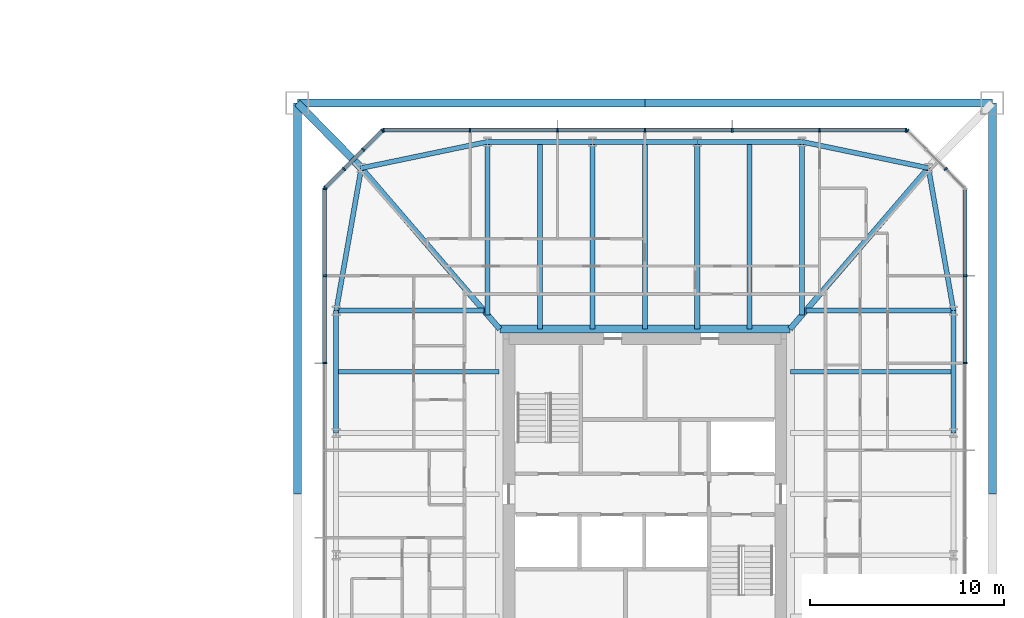
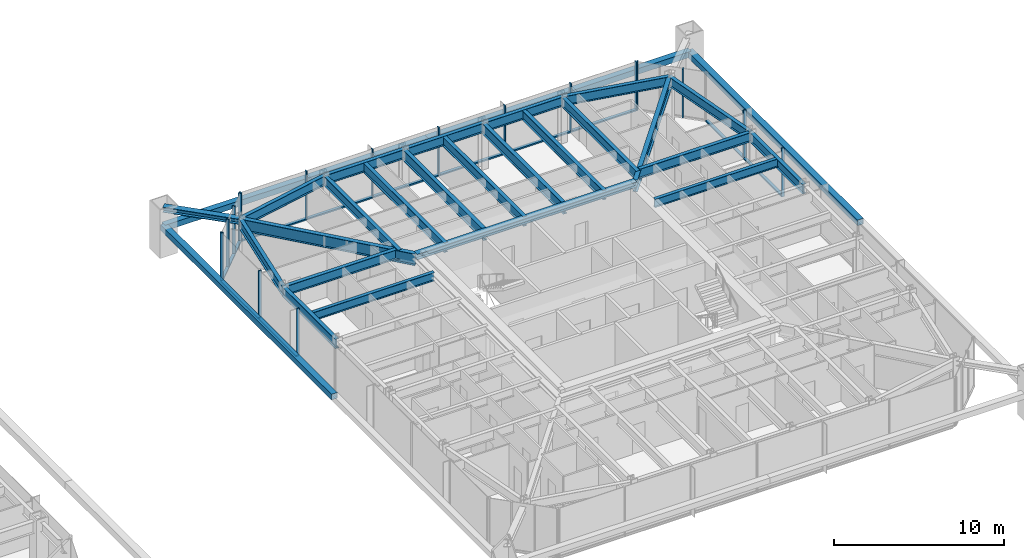
# One storey, part 11 of 27: 36 members, 23 beams, 5 elements without a shape of their own.
"""IFC4 building model written with IfcOpenShell, lengths in metres."""

from ifc_helpers import new_model, si_unit, direction, frame, origin, origin_2d, place, context, subcontext, project, spatial, rectangle, hollow_rectangle, i_section, extrude, material, material_profile, profile_set, type_object, element, aggregate, save


model = new_model("IFC4")

# Units and contexts
model_context = context("Model", 3, precision=1e-05, world=origin(), true_north=direction((0.0, 1.0)))
body_context = subcontext(model_context, "Body", "Model", "MODEL_VIEW")
ifc_project = project(units=[si_unit("LENGTHUNIT", "METRE"), si_unit("AREAUNIT", "SQUARE_METRE"), si_unit("VOLUMEUNIT", "CUBIC_METRE"), si_unit("PLANEANGLEUNIT", "RADIAN"), si_unit("MASSUNIT", "GRAM", prefix="KILO")], contexts=[model_context])

# Site, building, storey
site_placement = place(None, origin())
site = spatial("IfcSite", under=ifc_project, at=site_placement, CompositionType="ELEMENT")
building_placement = place(site_placement, origin())
building = spatial("IfcBuilding", under=site, at=building_placement, Name="Iwan Alto Co-Living Towers", CompositionType="ELEMENT")
storey_placement = place(building_placement, frame((0.0, 0.0, 53.5)))
storey = spatial("IfcBuildingStorey", under=building, at=storey_placement, Name="L14", CompositionType="ELEMENT", Elevation=53.5)

# Curtain wall, members
ifc_material_1 = material(Name="Bronze aluminium unitised frame", Category="aluminium")
curtain_wall_type_1 = type_object("IfcCurtainWallType", Name="CURTAIN WALL CW-C", PredefinedType="NOTDEFINED", material=ifc_material_1)
curtain_wall_1_placement = place(storey_placement, origin())
curtain_wall_1 = element("IfcCurtainWall", 1, at=curtain_wall_1_placement, inside=storey, type_object=curtain_wall_type_1, Name="T2 curtain wall E L14", PredefinedType="NOTDEFINED")
ifc_material_2 = material(Name="Aluminium 6063-T6 bronze anodised", Category="aluminium")
ifc_material_profile_1 = material_profile(ifc_material_2, rectangle(XDim=0.199951171875, YDim=0.080078125, at=origin_2d()), Name="AL 80X200")
ifc_profile_set_1 = profile_set([ifc_material_profile_1], Name="Aluminium 6063-T6 bronze anodised")
member_type_1 = type_object("IfcMemberType", Name="CW-C MULLION 80X200", PredefinedType="MULLION", material=ifc_profile_set_1)
member_1_placement = place(storey_placement, frame((79.5, 6.75, 0.0), z_axis=(0.0, 0.0, 1.0), x_axis=(-1.0, 0.0, 0.0)))
member_1 = element("IfcMember", 2, at=member_1_placement, type_object=member_type_1, Name="CW-C mullion 6", PredefinedType="MULLION", context=body_context, shape_type="SweptSolid", body=[
    extrude(rectangle(XDim=0.199951171875, YDim=0.080078125, at=origin_2d()), origin(), (0.0, 0.0, 1.0), 3.5),
])
member_2_placement = place(storey_placement, frame((79.5, 11.25, 0.0), z_axis=(0.0, 0.0, 1.0), x_axis=(-1.0, 0.0, 0.0)))
member_2 = element("IfcMember", 3, at=member_2_placement, type_object=member_type_1, Name="CW-C mullion 7", PredefinedType="MULLION", context=body_context, shape_type="SweptSolid", body=[
    extrude(rectangle(XDim=0.199951171875, YDim=0.080078125, at=origin_2d()), origin(), (0.0, 0.0, 1.0), 3.5),
])

curtain_wall_2_placement = place(storey_placement, origin())
curtain_wall_2 = element("IfcCurtainWall", 4, at=curtain_wall_2_placement, inside=storey, type_object=curtain_wall_type_1, Name="T2 curtain wall N L14", PredefinedType="NOTDEFINED")
member_3_placement = place(storey_placement, frame((76.4599609375, 18.75, 0.0), z_axis=(0.0, 0.0, 1.0), x_axis=(0.0, -1.0, 0.0)))
member_3 = element("IfcMember", 5, at=member_3_placement, type_object=member_type_1, Name="CW-C mullion 1", PredefinedType="MULLION", context=body_context, shape_type="SweptSolid", body=[
    extrude(rectangle(XDim=0.199951171875, YDim=0.080078125, at=origin_2d()), origin(), (0.0, 0.0, 1.0), 3.5),
])
member_4_placement = place(storey_placement, frame((72.0, 18.75, 0.0), z_axis=(0.0, 0.0, 1.0), x_axis=(0.0, -1.0, 0.0)))
member_4 = element("IfcMember", 6, at=member_4_placement, type_object=member_type_1, Name="CW-C mullion 2", PredefinedType="MULLION", context=body_context, shape_type="SweptSolid", body=[
    extrude(rectangle(XDim=0.199951171875, YDim=0.080078125, at=origin_2d()), origin(), (0.0, 0.0, 1.0), 3.5),
])
member_5_placement = place(storey_placement, frame((67.5, 18.75, 0.0), z_axis=(0.0, 0.0, 1.0), x_axis=(0.0, -1.0, 0.0)))
member_5 = element("IfcMember", 7, at=member_5_placement, type_object=member_type_1, Name="CW-C mullion 3", PredefinedType="MULLION", context=body_context, shape_type="SweptSolid", body=[
    extrude(rectangle(XDim=0.199951171875, YDim=0.080078125, at=origin_2d()), origin(), (0.0, 0.0, 1.0), 3.5),
])
member_6_placement = place(storey_placement, frame((63.0, 18.75, 0.0), z_axis=(0.0, 0.0, 1.0), x_axis=(0.0, -1.0, 0.0)))
member_6 = element("IfcMember", 8, at=member_6_placement, type_object=member_type_1, Name="CW-C mullion 4", PredefinedType="MULLION", context=body_context, shape_type="SweptSolid", body=[
    extrude(rectangle(XDim=0.199951171875, YDim=0.080078125, at=origin_2d()), origin(), (0.0, 0.0, 1.0), 3.5),
])
member_7_placement = place(storey_placement, frame((58.5, 18.75, 0.0), z_axis=(0.0, 0.0, 1.0), x_axis=(0.0, -1.0, 0.0)))
member_7 = element("IfcMember", 9, at=member_7_placement, type_object=member_type_1, Name="CW-C mullion 5", PredefinedType="MULLION", context=body_context, shape_type="SweptSolid", body=[
    extrude(rectangle(XDim=0.199951171875, YDim=0.080078125, at=origin_2d()), origin(), (0.0, 0.0, 1.0), 3.5),
])
member_8_placement = place(storey_placement, frame((54.0, 18.75, 0.0), z_axis=(0.0, 0.0, 1.0), x_axis=(0.0, -1.0, 0.0)))
member_8 = element("IfcMember", 10, at=member_8_placement, type_object=member_type_1, Name="CW-C mullion 6", PredefinedType="MULLION", context=body_context, shape_type="SweptSolid", body=[
    extrude(rectangle(XDim=0.199951171875, YDim=0.080078125, at=origin_2d()), origin(), (0.0, 0.0, 1.0), 3.5),
])
member_9_placement = place(storey_placement, frame((49.5400390625, 18.75, 0.0), z_axis=(0.0, 0.0, 1.0), x_axis=(0.0, -1.0, 0.0)))
member_9 = element("IfcMember", 11, at=member_9_placement, type_object=member_type_1, Name="CW-C mullion 7", PredefinedType="MULLION", context=body_context, shape_type="SweptSolid", body=[
    extrude(rectangle(XDim=0.199951171875, YDim=0.080078125, at=origin_2d()), origin(), (0.0, 0.0, 1.0), 3.5),
])

curtain_wall_3_placement = place(storey_placement, origin())
curtain_wall_3 = element("IfcCurtainWall", 12, at=curtain_wall_3_placement, inside=storey, type_object=curtain_wall_type_1, Name="T2 curtain wall W L14", PredefinedType="NOTDEFINED")
member_10_placement = place(storey_placement, frame((46.5, 15.7099609375, 0.0), z_axis=(0.0, 0.0, 1.0), x_axis=(1.0, 0.0, 0.0)))
member_10 = element("IfcMember", 13, at=member_10_placement, type_object=member_type_1, Name="CW-C mullion 1", PredefinedType="MULLION", context=body_context, shape_type="SweptSolid", body=[
    extrude(rectangle(XDim=0.199951171875, YDim=0.080078125, at=origin_2d()), origin(), (0.0, 0.0, 1.0), 3.5),
])
member_11_placement = place(storey_placement, frame((46.5, 11.25, 0.0), z_axis=(0.0, 0.0, 1.0), x_axis=(1.0, 0.0, 0.0)))
member_11 = element("IfcMember", 14, at=member_11_placement, type_object=member_type_1, Name="CW-C mullion 2", PredefinedType="MULLION", context=body_context, shape_type="SweptSolid", body=[
    extrude(rectangle(XDim=0.199951171875, YDim=0.080078125, at=origin_2d()), origin(), (0.0, 0.0, 1.0), 3.5),
])
member_12_placement = place(storey_placement, frame((46.5, 6.75, 0.0), z_axis=(0.0, 0.0, 1.0), x_axis=(1.0, 0.0, 0.0)))
member_12 = element("IfcMember", 15, at=member_12_placement, type_object=member_type_1, Name="CW-C mullion 3", PredefinedType="MULLION", context=body_context, shape_type="SweptSolid", body=[
    extrude(rectangle(XDim=0.199951171875, YDim=0.080078125, at=origin_2d()), origin(), (0.0, 0.0, 1.0), 3.5),
])

# Member
ifc_material_3 = material(Name="Aluminium 6063-T6 bronze anodised", Category="aluminium")
ifc_material_profile_2 = material_profile(ifc_material_3, rectangle(XDim=0.199951171875, YDim=0.10009765625, at=origin_2d()), Name="AL 200X100")
ifc_profile_set_2 = profile_set([ifc_material_profile_2], Name="Aluminium 6063-T6 bronze anodised")
member_type_2 = type_object("IfcMemberType", Name="CW-C TRANSOM 200X100", PredefinedType="USERDEFINED", material=ifc_profile_set_2)
member_13_placement = place(storey_placement, frame((79.5, 6.7900390625, 0.050048828125), z_axis=(0.0, 1.0, 0.0), x_axis=(-1.0, 0.0, 0.0)))
member_13 = element("IfcMember", 16, at=member_13_placement, type_object=member_type_2, Name="CW-C transom 6.1", ObjectType="TRANSOM", PredefinedType="USERDEFINED", context=body_context, shape_type="SweptSolid", body=[
    extrude(rectangle(XDim=0.199951171875, YDim=0.10009765625, at=origin_2d()), origin(), (0.0, 0.0, 1.0), 4.419921875),
])

member_14_placement = place(storey_placement, frame((79.5, 11.2900390625, 0.050048828125), z_axis=(0.0, 1.0, 0.0), x_axis=(-1.0, 0.0, 0.0)))
member_14 = element("IfcMember", 17, at=member_14_placement, type_object=member_type_2, Name="CW-C transom 7.1", ObjectType="TRANSOM", PredefinedType="USERDEFINED", context=body_context, shape_type="SweptSolid", body=[
    extrude(rectangle(XDim=0.199951171875, YDim=0.10009765625, at=origin_2d()), origin(), (0.0, 0.0, 1.0), 4.3798828125),
])

aggregate(curtain_wall_1, [member_1, member_2, member_13, member_14])

member_15_placement = place(storey_placement, frame((76.419921875, 18.75, 0.050048828125), z_axis=(-1.0, 0.0, 0.0), x_axis=(0.0, -1.0, 0.0)))
member_15 = element("IfcMember", 18, at=member_15_placement, type_object=member_type_2, Name="CW-C transom 1.1", ObjectType="TRANSOM", PredefinedType="USERDEFINED", context=body_context, shape_type="SweptSolid", body=[
    extrude(rectangle(XDim=0.199951171875, YDim=0.10009765625, at=origin_2d()), origin(), (0.0, 0.0, 1.0), 4.3798828125),
])

member_16_placement = place(storey_placement, frame((71.9599609375, 18.75, 0.050048828125), z_axis=(-1.0, 0.0, 0.0), x_axis=(0.0, -1.0, 0.0)))
member_16 = element("IfcMember", 19, at=member_16_placement, type_object=member_type_2, Name="CW-C transom 2.1", ObjectType="TRANSOM", PredefinedType="USERDEFINED", context=body_context, shape_type="SweptSolid", body=[
    extrude(rectangle(XDim=0.199951171875, YDim=0.10009765625, at=origin_2d()), origin(), (0.0, 0.0, 1.0), 4.419921875),
])

member_17_placement = place(storey_placement, frame((67.4599609375, 18.75, 0.050048828125), z_axis=(-1.0, 0.0, 0.0), x_axis=(0.0, -1.0, 0.0)))
member_17 = element("IfcMember", 20, at=member_17_placement, type_object=member_type_2, Name="CW-C transom 3.1", ObjectType="TRANSOM", PredefinedType="USERDEFINED", context=body_context, shape_type="SweptSolid", body=[
    extrude(rectangle(XDim=0.199951171875, YDim=0.10009765625, at=origin_2d()), origin(), (0.0, 0.0, 1.0), 4.419921875),
])

member_18_placement = place(storey_placement, frame((62.9599609375, 18.75, 0.050048828125), z_axis=(-1.0, 0.0, 0.0), x_axis=(0.0, -1.0, 0.0)))
member_18 = element("IfcMember", 21, at=member_18_placement, type_object=member_type_2, Name="CW-C transom 4.1", ObjectType="TRANSOM", PredefinedType="USERDEFINED", context=body_context, shape_type="SweptSolid", body=[
    extrude(rectangle(XDim=0.199951171875, YDim=0.10009765625, at=origin_2d()), origin(), (0.0, 0.0, 1.0), 4.419921875),
])

member_19_placement = place(storey_placement, frame((58.4599609375, 18.75, 0.050048828125), z_axis=(-1.0, 0.0, 0.0), x_axis=(0.0, -1.0, 0.0)))
member_19 = element("IfcMember", 22, at=member_19_placement, type_object=member_type_2, Name="CW-C transom 5.1", ObjectType="TRANSOM", PredefinedType="USERDEFINED", context=body_context, shape_type="SweptSolid", body=[
    extrude(rectangle(XDim=0.199951171875, YDim=0.10009765625, at=origin_2d()), origin(), (0.0, 0.0, 1.0), 4.419921875),
])

member_20_placement = place(storey_placement, frame((53.9599609375, 18.75, 0.050048828125), z_axis=(-1.0, 0.0, 0.0), x_axis=(0.0, -1.0, 0.0)))
member_20 = element("IfcMember", 23, at=member_20_placement, type_object=member_type_2, Name="CW-C transom 6.1", ObjectType="TRANSOM", PredefinedType="USERDEFINED", context=body_context, shape_type="SweptSolid", body=[
    extrude(rectangle(XDim=0.199951171875, YDim=0.10009765625, at=origin_2d()), origin(), (0.0, 0.0, 1.0), 4.3798828125),
])

aggregate(curtain_wall_2, [member_3, member_4, member_5, member_6, member_7, member_8, member_9, member_15, member_16, member_17, member_18, member_19, member_20])

member_21_placement = place(storey_placement, frame((46.5, 15.669921875, 0.050048828125), z_axis=(0.0, -1.0, 0.0), x_axis=(1.0, 0.0, 0.0)))
member_21 = element("IfcMember", 24, at=member_21_placement, type_object=member_type_2, Name="CW-C transom 1.1", ObjectType="TRANSOM", PredefinedType="USERDEFINED", context=body_context, shape_type="SweptSolid", body=[
    extrude(rectangle(XDim=0.199951171875, YDim=0.10009765625, at=origin_2d()), origin(), (0.0, 0.0, 1.0), 4.3798828125),
])

member_22_placement = place(storey_placement, frame((46.5, 11.2099609375, 0.050048828125), z_axis=(0.0, -1.0, 0.0), x_axis=(1.0, 0.0, 0.0)))
member_22 = element("IfcMember", 25, at=member_22_placement, type_object=member_type_2, Name="CW-C transom 2.1", ObjectType="TRANSOM", PredefinedType="USERDEFINED", context=body_context, shape_type="SweptSolid", body=[
    extrude(rectangle(XDim=0.199951171875, YDim=0.10009765625, at=origin_2d()), origin(), (0.0, 0.0, 1.0), 4.419921875),
])

aggregate(curtain_wall_3, [member_10, member_11, member_12, member_21, member_22])

# Curtain wall, members
ifc_material_4 = material(Name="Bronze aluminium unitised frame", Category="aluminium")
curtain_wall_type_2 = type_object("IfcCurtainWallType", Name="CURTAIN WALL CW-D", PredefinedType="NOTDEFINED", material=ifc_material_4)
curtain_wall_4_placement = place(storey_placement, origin())
curtain_wall_4 = element("IfcCurtainWall", 26, at=curtain_wall_4_placement, inside=storey, type_object=curtain_wall_type_2, Name="T2 chamfer curtain wall NE L14", PredefinedType="NOTDEFINED")
ifc_material_5 = material(Name="Aluminium 6063-T6 bronze anodised", Category="aluminium")
ifc_material_profile_3 = material_profile(ifc_material_5, rectangle(XDim=0.199951171875, YDim=0.080078125, at=origin_2d()), Name="AL 80X200")
ifc_profile_set_3 = profile_set([ifc_material_profile_3], Name="Aluminium 6063-T6 bronze anodised")
member_type_3 = type_object("IfcMemberType", Name="CW-D MULLION 80X200", PredefinedType="MULLION", material=ifc_profile_set_3)
member_23_placement = place(storey_placement, frame((78.5, 16.75, 0.0), z_axis=(0.0, 0.0, 1.0), x_axis=(-0.707106781187, -0.707106781187, 0.0)))
member_23 = element("IfcMember", 27, at=member_23_placement, type_object=member_type_3, Name="CW-D mullion 2", PredefinedType="MULLION", context=body_context, shape_type="SweptSolid", body=[
    extrude(rectangle(XDim=0.199951171875, YDim=0.080078125, at=origin_2d()), origin(), (0.0, 0.0, 1.0), 3.5),
])
member_24_placement = place(storey_placement, frame((76.5283203125, 18.7216796875, 0.0), z_axis=(0.0, 0.0, 1.0), x_axis=(-0.707106781187, -0.707106781187, 0.0)))
member_24 = element("IfcMember", 28, at=member_24_placement, type_object=member_type_3, Name="CW-D mullion 4", PredefinedType="MULLION", context=body_context, shape_type="SweptSolid", body=[
    extrude(rectangle(XDim=0.199951171875, YDim=0.080078125, at=origin_2d()), origin(), (0.0, 0.0, 1.0), 3.5),
])
aggregate(curtain_wall_4, [member_23, member_24])

curtain_wall_5_placement = place(storey_placement, origin())
curtain_wall_5 = element("IfcCurtainWall", 29, at=curtain_wall_5_placement, inside=storey, type_object=curtain_wall_type_2, Name="T2 chamfer curtain wall NW L14", PredefinedType="NOTDEFINED")
member_25_placement = place(storey_placement, frame((49.4716796875, 18.7216796875, 0.0), z_axis=(0.0, 0.0, 1.0), x_axis=(0.707106781187, -0.707106781187, 0.0)))
member_25 = element("IfcMember", 30, at=member_25_placement, type_object=member_type_3, Name="CW-D mullion 1", PredefinedType="MULLION", context=body_context, shape_type="SweptSolid", body=[
    extrude(rectangle(XDim=0.199951171875, YDim=0.080078125, at=origin_2d()), origin(), (0.0, 0.0, 1.0), 3.5),
])
member_26_placement = place(storey_placement, frame((48.5, 17.75, 0.0), z_axis=(0.0, 0.0, 1.0), x_axis=(0.707106781187, -0.707106781187, 0.0)))
member_26 = element("IfcMember", 31, at=member_26_placement, type_object=member_type_3, Name="CW-D mullion 2", PredefinedType="MULLION", context=body_context, shape_type="SweptSolid", body=[
    extrude(rectangle(XDim=0.199951171875, YDim=0.080078125, at=origin_2d()), origin(), (0.0, 0.0, 1.0), 3.5),
])
member_27_placement = place(storey_placement, frame((47.5, 16.75, 0.0), z_axis=(0.0, 0.0, 1.0), x_axis=(0.707106781187, -0.707106781187, 0.0)))
member_27 = element("IfcMember", 32, at=member_27_placement, type_object=member_type_3, Name="CW-D mullion 3", PredefinedType="MULLION", context=body_context, shape_type="SweptSolid", body=[
    extrude(rectangle(XDim=0.199951171875, YDim=0.080078125, at=origin_2d()), origin(), (0.0, 0.0, 1.0), 3.5),
])
member_28_placement = place(storey_placement, frame((46.5283203125, 15.7783203125, 0.0), z_axis=(0.0, 0.0, 1.0), x_axis=(0.707106781187, -0.707106781187, 0.0)))
member_28 = element("IfcMember", 33, at=member_28_placement, type_object=member_type_3, Name="CW-D mullion 4", PredefinedType="MULLION", context=body_context, shape_type="SweptSolid", body=[
    extrude(rectangle(XDim=0.199951171875, YDim=0.080078125, at=origin_2d()), origin(), (0.0, 0.0, 1.0), 3.5),
])
ifc_material_6 = material(Name="Aluminium 6063-T6 bronze anodised", Category="aluminium")
ifc_material_profile_4 = material_profile(ifc_material_6, rectangle(XDim=0.199951171875, YDim=0.10009765625, at=origin_2d()), Name="AL 200X100")
ifc_profile_set_4 = profile_set([ifc_material_profile_4], Name="Aluminium 6063-T6 bronze anodised")
member_type_4 = type_object("IfcMemberType", Name="CW-D TRANSOM 200X100", PredefinedType="USERDEFINED", material=ifc_profile_set_4)
member_29_placement = place(storey_placement, frame((49.443359375, 18.693359375, 0.050048828125), z_axis=(-0.707106781187, -0.707106781187, 0.0), x_axis=(0.707106781187, -0.707106781187, 0.0)))
member_29 = element("IfcMember", 34, at=member_29_placement, type_object=member_type_4, Name="CW-D transom 1.1", ObjectType="TRANSOM", PredefinedType="USERDEFINED", context=body_context, shape_type="SweptSolid", body=[
    extrude(rectangle(XDim=0.199951171875, YDim=0.10009765625, at=origin_2d()), origin(), (0.0, 0.0, 1.0), 1.2939453125),
])
member_30_placement = place(storey_placement, frame((48.4716796875, 17.7216796875, 0.050048828125), z_axis=(-0.707106781187, -0.707106781187, 0.0), x_axis=(0.707106781187, -0.707106781187, 0.0)))
member_30 = element("IfcMember", 35, at=member_30_placement, type_object=member_type_4, Name="CW-D transom 2.1", ObjectType="TRANSOM", PredefinedType="USERDEFINED", context=body_context, shape_type="SweptSolid", body=[
    extrude(rectangle(XDim=0.199951171875, YDim=0.10009765625, at=origin_2d()), origin(), (0.0, 0.0, 1.0), 1.334228515625),
])
member_31_placement = place(storey_placement, frame((47.4716796875, 16.7216796875, 0.050048828125), z_axis=(-0.707106781187, -0.707106781187, 0.0), x_axis=(0.707106781187, -0.707106781187, 0.0)))
member_31 = element("IfcMember", 36, at=member_31_placement, type_object=member_type_4, Name="CW-D transom 3.1", ObjectType="TRANSOM", PredefinedType="USERDEFINED", context=body_context, shape_type="SweptSolid", body=[
    extrude(rectangle(XDim=0.199951171875, YDim=0.10009765625, at=origin_2d()), origin(), (0.0, 0.0, 1.0), 1.2939453125),
])
aggregate(curtain_wall_5, [member_25, member_26, member_27, member_28, member_29, member_30, member_31])

# Beams
ifc_material_7 = material(Name="Steel ASTM A992 Gr 50", Category="steel")
ifc_material_profile_5 = material_profile(ifc_material_7, i_section(OverallWidth=0.40380859375, OverallDepth=0.406494140625, WebThickness=0.027099609375, FlangeThickness=0.043701171875, at=origin_2d()), Name="W14X233")
ifc_profile_set_5 = profile_set([ifc_material_profile_5], Name="Steel ASTM A992 Gr 50")
beam_type_1 = type_object("IfcBeamType", Name="T2 CORE LEDGER BEAM W14X233", PredefinedType="BEAM", material=ifc_profile_set_5)
beam_1_placement = place(storey_placement, frame((70.4736328125, 8.501953125, 3.06689453125), z_axis=(-1.0, 0.0, 0.0), x_axis=(0.0, -1.0, 0.0)))
element("IfcBeam", 37, at=beam_1_placement, inside=storey, type_object=beam_type_1, Name="T2 core ledger beam N L15", PredefinedType="BEAM", context=body_context, shape_type="SweptSolid", body=[
    extrude(i_section(OverallWidth=0.40380859375, OverallDepth=0.406494140625, WebThickness=0.027099609375, FlangeThickness=0.043701171875, at=origin_2d()), origin(), (0.0, 0.0, 1.0), 14.947265625),
])
ifc_material_8 = material(Name="Steel ASTM A992 Gr 50", Category="steel")
ifc_material_profile_6 = material_profile(ifc_material_8, i_section(OverallWidth=0.2919921875, OverallDepth=0.8408203125, WebThickness=0.0146484375, FlangeThickness=0.021728515625, at=origin_2d()), Name="W33X130")
ifc_profile_set_6 = profile_set([ifc_material_profile_6], Name="Steel ASTM A992 Gr 50")
beam_type_2 = type_object("IfcBeamType", Name="T2 CORNER GIRDER W33X130", PredefinedType="BEAM", material=ifc_profile_set_6)
for number, where, z_axis, x_axis, name in (
    (38, (77.606201171875, 16.797119140625, 2.849609375), (-0.651972301827, -0.758242782788, 0.0), (0.758242782788, -0.651972301827, 0.0), "T2 corner girder CNE L15"),
    (39, (48.393798828125, 16.797119140625, 2.849609375), (0.651972301827, -0.758242782788, 0.0), (0.758242782788, 0.651972301827, 0.0), "T2 corner girder CNW L15"),
):
    element("IfcBeam", number, at=place(storey_placement, frame(where, z_axis=z_axis, x_axis=x_axis)), inside=storey, type_object=beam_type_2, Name=name, PredefinedType="BEAM", context=body_context, shape_type="SweptSolid", body=[
        extrude(i_section(OverallWidth=0.2919921875, OverallDepth=0.8408203125, WebThickness=0.0146484375, FlangeThickness=0.021728515625, at=origin_2d()), origin(), (0.0, 0.0, 1.0), 10.93994140625),
    ])
ifc_material_9 = material(Name="Steel ASTM A992 Gr 50", Category="steel")
ifc_material_profile_7 = material_profile(ifc_material_9, i_section(OverallWidth=0.25390625, OverallDepth=0.683349609375, WebThickness=0.012451171875, FlangeThickness=0.018798828125, at=origin_2d()), Name="W27X94")
ifc_profile_set_7 = profile_set([ifc_material_profile_7], Name="Steel ASTM A992 Gr 50")
beam_type_3 = type_object("IfcBeamType", Name="T2 EDGE BEAM W27X94", PredefinedType="BEAM", material=ifc_profile_set_7)
beam_2_placement = place(storey_placement, frame((78.89990234375, 3.14990234375, 2.928466796875), z_axis=(0.0, 1.0, 0.0), x_axis=(-1.0, 0.0, 0.0)))
element("IfcBeam", 40, at=beam_2_placement, inside=storey, type_object=beam_type_3, Name="T2 edge beam E3 L15", PredefinedType="BEAM", context=body_context, shape_type="SweptSolid", body=[
    extrude(i_section(OverallWidth=0.25390625, OverallDepth=0.683349609375, WebThickness=0.012451171875, FlangeThickness=0.018798828125, at=origin_2d()), origin(), (0.0, 0.0, 1.0), 6.300048828125),
])
beam_3_placement = place(storey_placement, frame((78.89990234375, 9.449951171875, 2.928466796875), z_axis=(-0.173413807283, 0.98484905008, 0.0), x_axis=(-0.98484905008, -0.173413807283, 0.0)))
element("IfcBeam", 41, at=beam_3_placement, inside=storey, type_object=beam_type_3, Name="T2 edge beam E4 L15", PredefinedType="BEAM", context=body_context, shape_type="SweptSolid", body=[
    extrude(i_section(OverallWidth=0.25390625, OverallDepth=0.683349609375, WebThickness=0.012451171875, FlangeThickness=0.018798828125, at=origin_2d()), origin(), (0.0, 0.0, 1.0), 7.460205078125),
])
beam_4_placement = place(storey_placement, frame((77.606201171875, 16.797119140625, 2.928466796875), z_axis=(-0.979060119423, 0.203571320564, 0.0), x_axis=(-0.203571320564, -0.979060119423, 0.0)))
element("IfcBeam", 42, at=beam_4_placement, inside=storey, type_object=beam_type_3, Name="T2 edge beam CNE L15", PredefinedType="BEAM", context=body_context, shape_type="SweptSolid", body=[
    extrude(i_section(OverallWidth=0.25390625, OverallDepth=0.683349609375, WebThickness=0.012451171875, FlangeThickness=0.018798828125, at=origin_2d()), origin(), (0.0, 0.0, 1.0), 6.645263671875),
])
beam_5_placement = place(storey_placement, frame((71.10009765625, 18.14990234375, 2.928466796875), z_axis=(-1.0, 0.0, 0.0), x_axis=(0.0, -1.0, 0.0)))
element("IfcBeam", 43, at=beam_5_placement, inside=storey, type_object=beam_type_3, Name="T2 edge beam N1 L15", PredefinedType="BEAM", context=body_context, shape_type="SweptSolid", body=[
    extrude(i_section(OverallWidth=0.25390625, OverallDepth=0.683349609375, WebThickness=0.012451171875, FlangeThickness=0.018798828125, at=origin_2d()), origin(), (0.0, 0.0, 1.0), 5.400146484375),
])
beam_6_placement = place(storey_placement, frame((65.699951171875, 18.14990234375, 2.928466796875), z_axis=(-1.0, 0.0, 0.0), x_axis=(0.0, -1.0, 0.0)))
element("IfcBeam", 44, at=beam_6_placement, inside=storey, type_object=beam_type_3, Name="T2 edge beam N2 L15", PredefinedType="BEAM", context=body_context, shape_type="SweptSolid", body=[
    extrude(i_section(OverallWidth=0.25390625, OverallDepth=0.683349609375, WebThickness=0.012451171875, FlangeThickness=0.018798828125, at=origin_2d()), origin(), (0.0, 0.0, 1.0), 5.39990234375),
])
beam_7_placement = place(storey_placement, frame((60.300048828125, 18.14990234375, 2.928466796875), z_axis=(-1.0, 0.0, 0.0), x_axis=(0.0, -1.0, 0.0)))
element("IfcBeam", 45, at=beam_7_placement, inside=storey, type_object=beam_type_3, Name="T2 edge beam N3 L15", PredefinedType="BEAM", context=body_context, shape_type="SweptSolid", body=[
    extrude(i_section(OverallWidth=0.25390625, OverallDepth=0.683349609375, WebThickness=0.012451171875, FlangeThickness=0.018798828125, at=origin_2d()), origin(), (0.0, 0.0, 1.0), 5.400146484375),
])
beam_8_placement = place(storey_placement, frame((54.89990234375, 18.14990234375, 2.928466796875), z_axis=(-0.979060119423, -0.203571320564, 0.0), x_axis=(0.203571320564, -0.979060119423, 0.0)))
element("IfcBeam", 46, at=beam_8_placement, inside=storey, type_object=beam_type_3, Name="T2 edge beam N4 L15", PredefinedType="BEAM", context=body_context, shape_type="SweptSolid", body=[
    extrude(i_section(OverallWidth=0.25390625, OverallDepth=0.683349609375, WebThickness=0.012451171875, FlangeThickness=0.018798828125, at=origin_2d()), origin(), (0.0, 0.0, 1.0), 6.645263671875),
])
beam_9_placement = place(storey_placement, frame((48.393798828125, 16.797119140625, 2.928466796875), z_axis=(-0.173413807283, -0.98484905008, 0.0), x_axis=(0.98484905008, -0.173413807283, 0.0)))
element("IfcBeam", 47, at=beam_9_placement, inside=storey, type_object=beam_type_3, Name="T2 edge beam CNW L15", PredefinedType="BEAM", context=body_context, shape_type="SweptSolid", body=[
    extrude(i_section(OverallWidth=0.25390625, OverallDepth=0.683349609375, WebThickness=0.012451171875, FlangeThickness=0.018798828125, at=origin_2d()), origin(), (0.0, 0.0, 1.0), 7.460205078125),
])
beam_10_placement = place(storey_placement, frame((47.10009765625, 9.449951171875, 2.928466796875), z_axis=(0.0, -1.0, 0.0), x_axis=(1.0, 0.0, 0.0)))
element("IfcBeam", 48, at=beam_10_placement, inside=storey, type_object=beam_type_3, Name="T2 edge beam W1 L15", PredefinedType="BEAM", context=body_context, shape_type="SweptSolid", body=[
    extrude(i_section(OverallWidth=0.25390625, OverallDepth=0.683349609375, WebThickness=0.012451171875, FlangeThickness=0.018798828125, at=origin_2d()), origin(), (0.0, 0.0, 1.0), 6.300048828125),
])

# Members
ifc_material_10 = material(Name="Steel ASTM A992 Gr 50", Category="steel")
ifc_material_profile_8 = material_profile(ifc_material_10, i_section(OverallWidth=0.393798828125, OverallDepth=0.3759765625, WebThickness=0.017333984375, FlangeThickness=0.027587890625, at=origin_2d()), Name="W14X145")
ifc_profile_set_8 = profile_set([ifc_material_profile_8], Name="Steel ASTM A992 Gr 50")
member_type_5 = type_object("IfcMemberType", Name="T2 MEGA COLUMN FLOOR TIE W14X145", PredefinedType="STRUT", material=ifc_profile_set_8)
member_32_placement = place(storey_placement, frame((45.10009765625, 20.14990234375, 3.08203125), z_axis=(0.700793469544, -0.71336422187, 0.0), x_axis=(0.71336422187, 0.700793469544, 0.0)))
element("IfcMember", 49, at=member_32_placement, inside=storey, type_object=member_type_5, Name="T2 mega column floor tie NW L15", PredefinedType="STRUT", context=body_context, shape_type="SweptSolid", body=[
    extrude(i_section(OverallWidth=0.393798828125, OverallDepth=0.3759765625, WebThickness=0.017333984375, FlangeThickness=0.027587890625, at=origin_2d()), origin(), (0.0, 0.0, 1.0), 4.699951171875),
])
ifc_material_11 = material(Name="Steel ASTM A500 Gr C", Category="steel")
ifc_material_profile_9 = material_profile(ifc_material_11, hollow_rectangle(XDim=0.406494140625, YDim=0.406494140625, WallThickness=0.0146484375, at=origin_2d()), Name="HSS16X16X5/8")
ifc_profile_set_9 = profile_set([ifc_material_profile_9], Name="Steel ASTM A500 Gr C")
member_type_6 = type_object("IfcMemberType", Name="T2 MEGA TIE HSS16X16X5/8", PredefinedType="STRUT", material=ifc_profile_set_9)
member_33_placement = place(storey_placement, frame((80.89990234375, 0.0, 1.75), z_axis=(0.0, 1.0, 0.0), x_axis=(-1.0, 0.0, 0.0)))
element("IfcMember", 50, at=member_33_placement, inside=storey, type_object=member_type_6, Name="T2 mega tie Z1B E 2", PredefinedType="STRUT", context=body_context, shape_type="SweptSolid", body=[
    extrude(hollow_rectangle(XDim=0.406494140625, YDim=0.406494140625, WallThickness=0.0146484375, at=origin_2d()), origin(), (0.0, 0.0, 1.0), 20.14990234375),
])
for number, where, z_axis, x_axis, name in (
    (51, (80.89990234375, 20.14990234375, 1.75), (-1.0, 0.0, 0.0), (0.0, -1.0, 0.0), "T2 mega tie Z1B N 1"),
    (52, (63.0, 20.14990234375, 1.75), (-1.0, 0.0, 0.0), (0.0, -1.0, 0.0), "T2 mega tie Z1B N 2"),
):
    element("IfcMember", number, at=place(storey_placement, frame(where, z_axis=z_axis, x_axis=x_axis)), inside=storey, type_object=member_type_6, Name=name, PredefinedType="STRUT", context=body_context, shape_type="SweptSolid", body=[
        extrude(hollow_rectangle(XDim=0.406494140625, YDim=0.406494140625, WallThickness=0.0146484375, at=origin_2d()), origin(), (0.0, 0.0, 1.0), 17.89990234375),
    ])
member_34_placement = place(storey_placement, frame((45.10009765625, 20.14990234375, 1.75), z_axis=(0.0, -1.0, 0.0), x_axis=(1.0, 0.0, 0.0)))
element("IfcMember", 53, at=member_34_placement, inside=storey, type_object=member_type_6, Name="T2 mega tie Z1B W 1", PredefinedType="STRUT", context=body_context, shape_type="SweptSolid", body=[
    extrude(hollow_rectangle(XDim=0.406494140625, YDim=0.406494140625, WallThickness=0.0146484375, at=origin_2d()), origin(), (0.0, 0.0, 1.0), 20.14990234375),
])

# Beams
ifc_material_12 = material(Name="Steel ASTM A992 Gr 50", Category="steel")
ifc_material_profile_10 = material_profile(ifc_material_12, i_section(OverallWidth=0.25390625, OverallDepth=0.683349609375, WebThickness=0.012451171875, FlangeThickness=0.018798828125, at=origin_2d()), Name="W27X94")
ifc_profile_set_10 = profile_set([ifc_material_profile_10], Name="Steel ASTM A992 Gr 50")
beam_type_4 = type_object("IfcBeamType", Name="T2 RADIAL BEAM W27X94", PredefinedType="BEAM", material=ifc_profile_set_10)
beam_11_placement = place(storey_placement, frame((78.89990234375, 9.449951171875, 2.928466796875), z_axis=(-1.0, 0.0, 0.0), x_axis=(0.0, -1.0, 0.0)))
element("IfcBeam", 54, at=beam_11_placement, inside=storey, type_object=beam_type_4, Name="T2 radial beam E4 L15", PredefinedType="BEAM", context=body_context, shape_type="SweptSolid", body=[
    extrude(i_section(OverallWidth=0.25390625, OverallDepth=0.683349609375, WebThickness=0.012451171875, FlangeThickness=0.018798828125, at=origin_2d()), origin(), (0.0, 0.0, 1.0), 7.611083984375),
])
for number, where, z_axis, x_axis, name in (
    (55, (71.10009765625, 18.14990234375, 2.928466796875), (0.0, -1.0, 0.0), (1.0, 0.0, 0.0), "T2 radial beam N1 L15"),
    (56, (54.89990234375, 18.14990234375, 2.928466796875), (0.0, -1.0, 0.0), (1.0, 0.0, 0.0), "T2 radial beam N4 L15"),
):
    element("IfcBeam", number, at=place(storey_placement, frame(where, z_axis=z_axis, x_axis=x_axis)), inside=storey, type_object=beam_type_4, Name=name, PredefinedType="BEAM", context=body_context, shape_type="SweptSolid", body=[
        extrude(i_section(OverallWidth=0.25390625, OverallDepth=0.683349609375, WebThickness=0.012451171875, FlangeThickness=0.018798828125, at=origin_2d()), origin(), (0.0, 0.0, 1.0), 8.91943359375),
    ])
beam_12_placement = place(storey_placement, frame((47.10009765625, 9.449951171875, 2.928466796875), z_axis=(1.0, 0.0, 0.0), x_axis=(0.0, 1.0, 0.0)))
element("IfcBeam", 57, at=beam_12_placement, inside=storey, type_object=beam_type_4, Name="T2 radial beam W1 L15", PredefinedType="BEAM", context=body_context, shape_type="SweptSolid", body=[
    extrude(i_section(OverallWidth=0.25390625, OverallDepth=0.683349609375, WebThickness=0.012451171875, FlangeThickness=0.018798828125, at=origin_2d()), origin(), (0.0, 0.0, 1.0), 7.611083984375),
])
ifc_material_13 = material(Name="Steel ASTM A992 Gr 50", Category="steel")
ifc_material_profile_11 = material_profile(ifc_material_13, i_section(OverallWidth=0.2666015625, OverallDepth=0.761962890625, WebThickness=0.014404296875, FlangeThickness=0.021484375, at=origin_2d()), Name="W30X116")
ifc_profile_set_11 = profile_set([ifc_material_profile_11], Name="Steel ASTM A992 Gr 50")
beam_type_5 = type_object("IfcBeamType", Name="T2 RADIAL BEAM W30X116", PredefinedType="BEAM", material=ifc_profile_set_11)
for number, where, z_axis, x_axis, name in (
    (58, (65.699951171875, 18.14990234375, 2.888916015625), (0.0, -1.0, 0.0), (1.0, 0.0, 0.0), "T2 radial beam N2 L15"),
    (59, (60.300048828125, 18.14990234375, 2.888916015625), (0.0, -1.0, 0.0), (1.0, 0.0, 0.0), "T2 radial beam N3 L15"),
):
    element("IfcBeam", number, at=place(storey_placement, frame(where, z_axis=z_axis, x_axis=x_axis)), inside=storey, type_object=beam_type_5, Name=name, PredefinedType="BEAM", context=body_context, shape_type="SweptSolid", body=[
        extrude(i_section(OverallWidth=0.2666015625, OverallDepth=0.761962890625, WebThickness=0.014404296875, FlangeThickness=0.021484375, at=origin_2d()), origin(), (0.0, 0.0, 1.0), 9.64794921875),
    ])
ifc_material_14 = material(Name="Steel ASTM A992 Gr 50", Category="steel")
ifc_material_profile_12 = material_profile(ifc_material_14, i_section(OverallWidth=0.228271484375, OverallDepth=0.607177734375, WebThickness=0.01123046875, FlangeThickness=0.017333984375, at=origin_2d()), Name="W24X76")
ifc_profile_set_12 = profile_set([ifc_material_profile_12], Name="Steel ASTM A992 Gr 50")
beam_type_6 = type_object("IfcBeamType", Name="T2 SECONDARY BEAM W24X76", PredefinedType="JOIST", material=ifc_profile_set_12)
for number, where, z_axis, x_axis, name in (
    (60, (78.89990234375, 6.300048828125, 2.966552734375), (-1.0, 0.0, 0.0), (0.0, -1.0, 0.0), "T2 secondary beam E3 L15"),
    (61, (47.10009765625, 6.300048828125, 2.966552734375), (1.0, 0.0, 0.0), (0.0, 1.0, 0.0), "T2 secondary beam W1 L15"),
):
    element("IfcBeam", number, at=place(storey_placement, frame(where, z_axis=z_axis, x_axis=x_axis)), inside=storey, type_object=beam_type_6, Name=name, PredefinedType="JOIST", context=body_context, shape_type="SweptSolid", body=[
        extrude(i_section(OverallWidth=0.228271484375, OverallDepth=0.607177734375, WebThickness=0.01123046875, FlangeThickness=0.017333984375, at=origin_2d()), origin(), (0.0, 0.0, 1.0), 8.39794921875),
    ])
ifc_material_15 = material(Name="Steel ASTM A992 Gr 50", Category="steel")
ifc_material_profile_13 = material_profile(ifc_material_15, i_section(OverallWidth=0.25390625, OverallDepth=0.683349609375, WebThickness=0.012451171875, FlangeThickness=0.018798828125, at=origin_2d()), Name="W27X94")
ifc_profile_set_13 = profile_set([ifc_material_profile_13], Name="Steel ASTM A992 Gr 50")
beam_type_7 = type_object("IfcBeamType", Name="T2 SECONDARY BEAM W27X94", PredefinedType="JOIST", material=ifc_profile_set_13)
for number, where, z_axis, x_axis, name in (
    (62, (68.39990234375, 18.14990234375, 2.928466796875), (0.0, -1.0, 0.0), (1.0, 0.0, 0.0), "T2 secondary beam N1 L15"),
    (63, (63.0, 18.14990234375, 2.928466796875), (0.0, -1.0, 0.0), (1.0, 0.0, 0.0), "T2 secondary beam N2 L15"),
    (64, (57.60009765625, 18.14990234375, 2.928466796875), (0.0, -1.0, 0.0), (1.0, 0.0, 0.0), "T2 secondary beam N3 L15"),
):
    element("IfcBeam", number, at=place(storey_placement, frame(where, z_axis=z_axis, x_axis=x_axis)), inside=storey, type_object=beam_type_7, Name=name, PredefinedType="JOIST", context=body_context, shape_type="SweptSolid", body=[
        extrude(i_section(OverallWidth=0.25390625, OverallDepth=0.683349609375, WebThickness=0.012451171875, FlangeThickness=0.018798828125, at=origin_2d()), origin(), (0.0, 0.0, 1.0), 9.64794921875),
    ])

save(model, "model.ifc")
